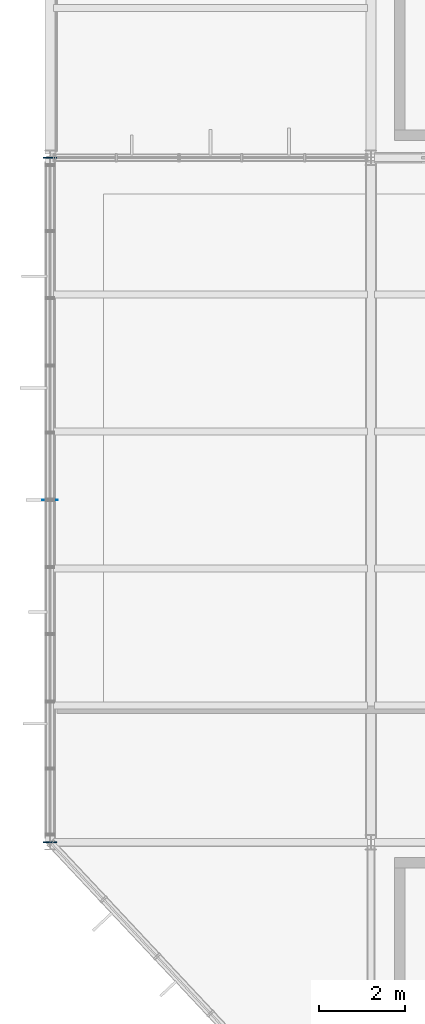
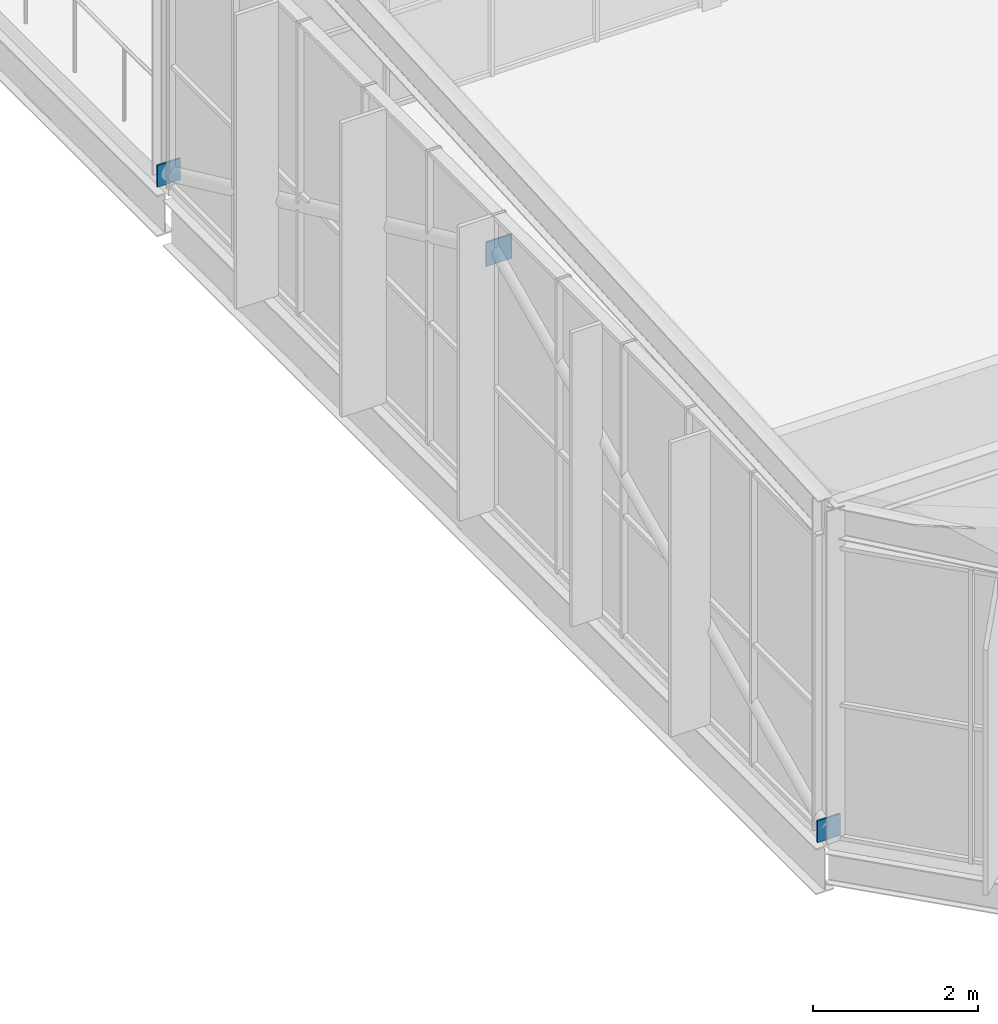
# One storey, part 92 of 104: 3 plates.
"""IFC4 building model written with IfcOpenShell, lengths in metres."""

from ifc_helpers import new_model, si_unit, direction, frame, origin, origin_2d, place, context, subcontext, project, spatial, rectangle, extrude, material, layer, layer_set, type_object, element, save


model = new_model("IFC4")

# Units and contexts
model_context = context("Model", 3, precision=1e-05, world=origin(), true_north=direction((0.0, 1.0)))
body_context = subcontext(model_context, "Body", "Model", "MODEL_VIEW")
ifc_project = project(units=[si_unit("LENGTHUNIT", "METRE"), si_unit("AREAUNIT", "SQUARE_METRE"), si_unit("VOLUMEUNIT", "CUBIC_METRE"), si_unit("PLANEANGLEUNIT", "RADIAN"), si_unit("MASSUNIT", "GRAM", prefix="KILO")], contexts=[model_context])

# Site, building, storey
site_placement = place(None, origin())
site = spatial("IfcSite", under=ifc_project, at=site_placement, CompositionType="ELEMENT")
building_placement = place(site_placement, origin())
building = spatial("IfcBuilding", under=site, at=building_placement, Name="Solvenia Promenade Tram Depot", CompositionType="ELEMENT")
storey_placement = place(building_placement, frame((0.0, 0.0, 9.0)))
storey = spatial("IfcBuildingStorey", under=building, at=storey_placement, Name="L02", CompositionType="ELEMENT", Elevation=9.0)

# Plates
ifc_material = material(Name="Structural steel ASTM A572 Gr. 50", Category="steel")
ifc_layer_1 = layer(ifc_material, 0.02392578125, Name="Structural steel ASTM A572 Gr. 50", Category="steel")
ifc_layer_set_1 = layer_set([ifc_layer_1], Name="Structural steel ASTM A572 Gr. 50")
plate_type_1 = type_object("IfcPlateType", Name="EndCap-CP1", PredefinedType="SHEET", material=ifc_layer_set_1)
for number, where, z_axis, x_axis, name in (
    (1, (0.0, 8.0, -0.06005859375), (0.0, 0.0, 1.0), (1.0, 0.0, 0.0), "Chevron Left Foot Gusset Plate 14"),
    (2, (0.0, 24.0, -0.06005859375), (0.0, 0.0, 1.0), (1.0, 0.0, 0.0), "Chevron Right Foot Gusset Plate 14"),
):
    element("IfcPlate", number, at=place(storey_placement, frame(where, z_axis=z_axis, x_axis=x_axis)), inside=storey, type_object=plate_type_1, Name=name, PredefinedType="SHEET", context=body_context, shape_type="SweptSolid", body=[
        extrude(rectangle(XDim=0.320068359375, YDim=0.02392578125, at=origin_2d()), origin(), (0.0, 0.0, 1.0), 0.320068359375),
    ])
ifc_layer_2 = layer(ifc_material, 0.02099609375, Name="Structural steel ASTM A572 Gr. 50", Category="steel")
ifc_layer_set_2 = layer_set([ifc_layer_2], Name="Structural steel ASTM A572 Gr. 50")
plate_type_2 = type_object("IfcPlateType", Name="EndCap-CP3", PredefinedType="SHEET", material=ifc_layer_set_2)
plate_placement = place(storey_placement, frame((0.0, 16.0, 3.6201171875), z_axis=(0.0, 0.0, 1.0), x_axis=(1.0, 0.0, 0.0)))
element("IfcPlate", 3, at=plate_placement, inside=storey, type_object=plate_type_2, Name="Chevron Gusset Cap Plate 14", PredefinedType="SHEET", context=body_context, shape_type="SweptSolid", body=[
    extrude(rectangle(XDim=0.360107421875, YDim=0.02001953125, at=origin_2d()), origin(), (0.0, 0.0, 1.0), 0.360107421875),
])

save(model, "model.ifc")
